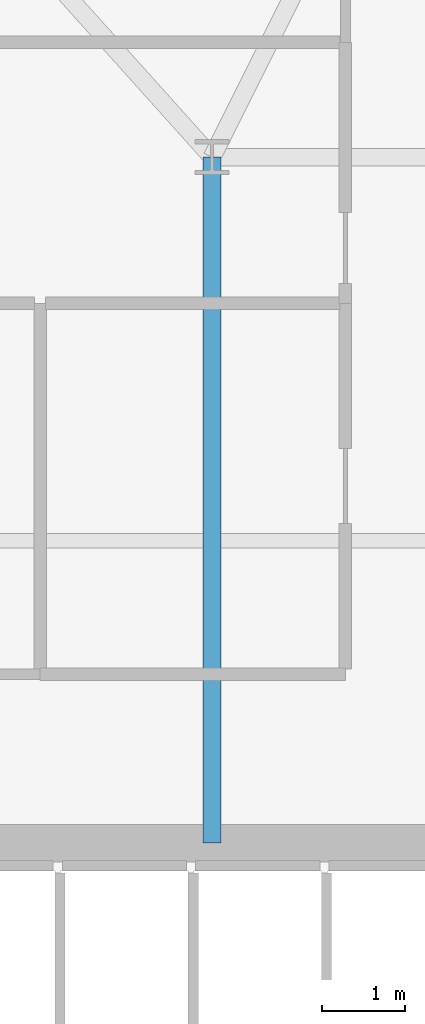
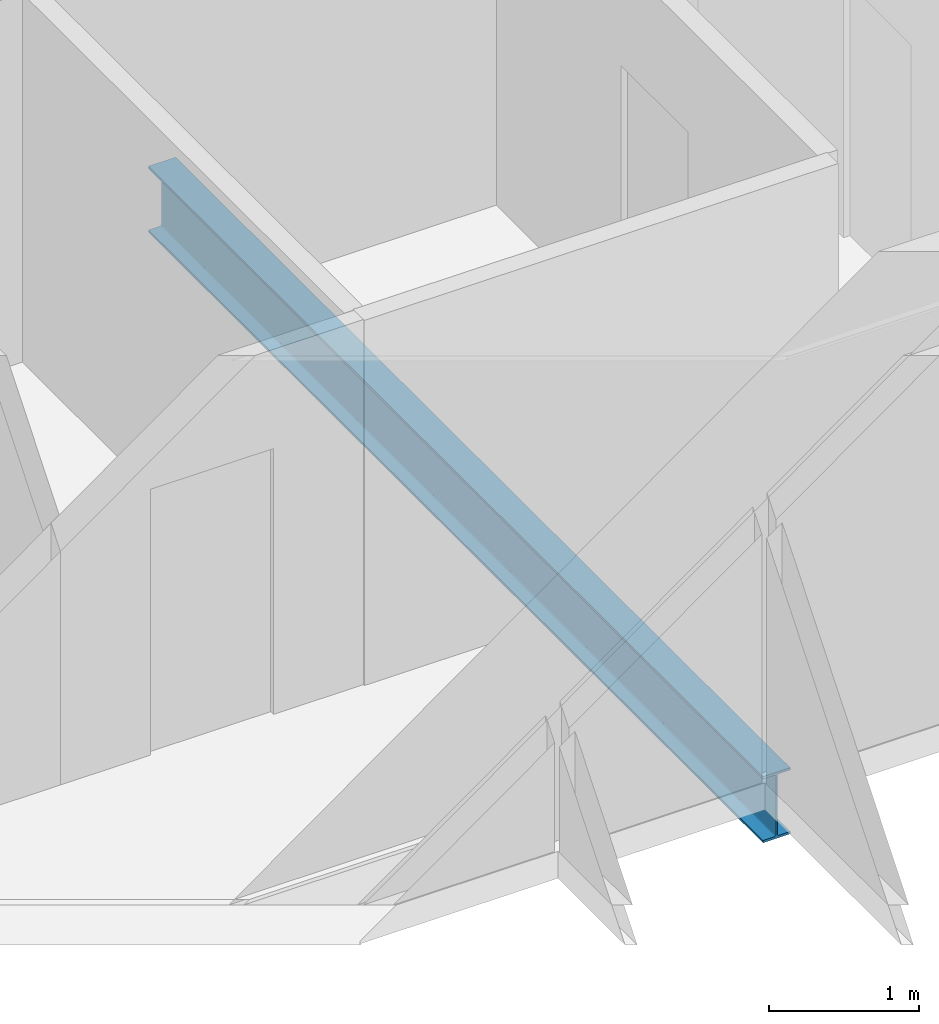
# One storey, part 6 of 36: 1 beam.
"""IFC4 building model written with IfcOpenShell, lengths in metres."""

from ifc_helpers import new_model, si_unit, direction, frame, origin, origin_2d, place, context, subcontext, project, spatial, i_section, extrude, material, material_profile, profile_set, type_object, element, save


model = new_model("IFC4")

# Units and contexts
model_context = context("Model", 3, precision=1e-05, world=origin(), true_north=direction((0.0, 1.0)))
body_context = subcontext(model_context, "Body", "Model", "MODEL_VIEW")
ifc_project = project(units=[si_unit("LENGTHUNIT", "METRE"), si_unit("AREAUNIT", "SQUARE_METRE"), si_unit("VOLUMEUNIT", "CUBIC_METRE"), si_unit("PLANEANGLEUNIT", "RADIAN"), si_unit("MASSUNIT", "GRAM", prefix="KILO")], contexts=[model_context])

# Site, building, storey
site_placement = place(None, origin())
site = spatial("IfcSite", under=ifc_project, at=site_placement, CompositionType="ELEMENT")
building_placement = place(site_placement, origin())
building = spatial("IfcBuilding", under=site, at=building_placement, Name="Ndaravel Arena Tower", CompositionType="ELEMENT")
storey_placement = place(building_placement, frame((0.0, 0.0, 127.0)))
storey = spatial("IfcBuildingStorey", under=building, at=storey_placement, Name="L29", CompositionType="ELEMENT", Elevation=127.0)

# Beam
ifc_material = material(Name="Steel S355", Category="steel")
ifc_material_profile = material_profile(ifc_material, i_section(OverallWidth=0.210693359375, OverallDepth=0.53955078125, WebThickness=0.01171875, FlangeThickness=0.018798828125, FilletRadius=0.0126953125, at=origin_2d()), Name="UB 533x210x109")
ifc_profile_set = profile_set([ifc_material_profile], Name="Steel S355")
beam_type = type_object("IfcBeamType", Name="BM-GIRD-UB533", PredefinedType="BEAM", material=ifc_profile_set)
beam_placement = place(storey_placement, frame((34.199951171875, 14.97998046875, -0.48974609375), z_axis=(0.0, 1.0, 0.0), x_axis=(-1.0, 0.0, 0.0)))
element("IfcBeam", 1, at=beam_placement, inside=storey, type_object=beam_type, Name="L29 Spine Link Girder SLG-01", PredefinedType="BEAM", context=body_context, shape_type="SweptSolid", body=[
    extrude(i_section(OverallWidth=0.210693359375, OverallDepth=0.53955078125, WebThickness=0.01171875, FlangeThickness=0.018798828125, FilletRadius=0.0126953125, at=origin_2d()), origin(), (0.0, 0.0, 1.0), 8.219970703125),
])

save(model, "model.ifc")
